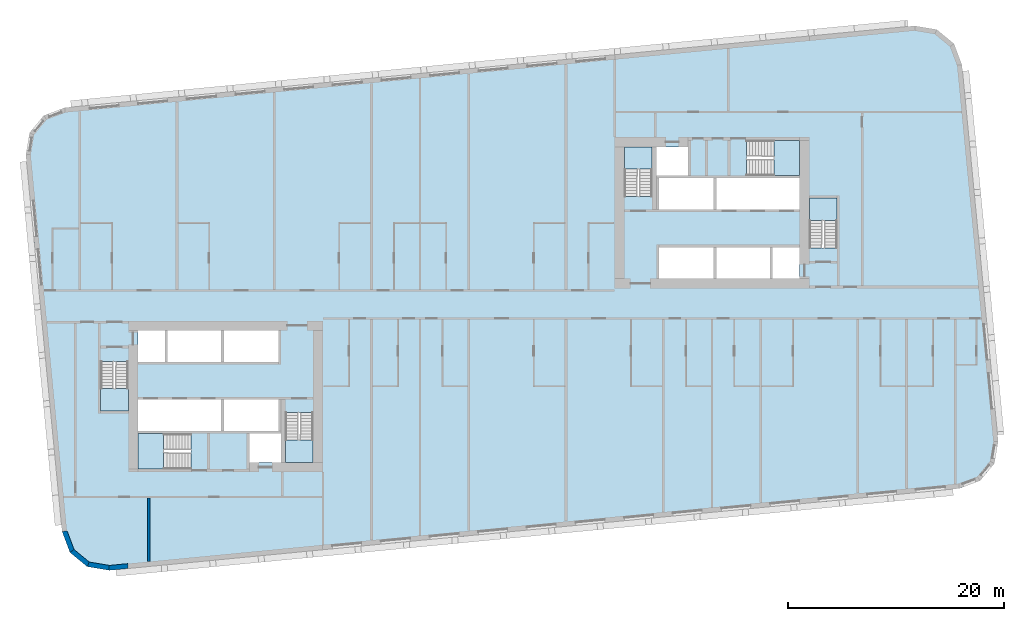
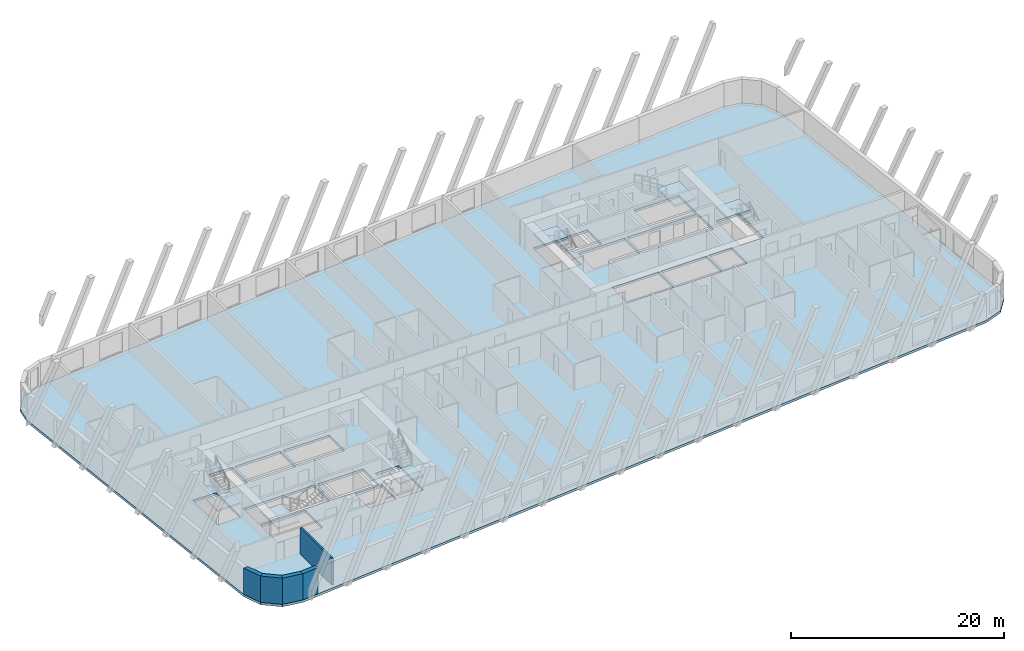
# One storey, part 1 of 13: 7 slabs, 5 walls, 6 elements without a shape of their own.
"""IFC4 building model written with IfcOpenShell, lengths in metres."""

from ifc_helpers import new_model, si_unit, direction, frame, frame_2d, origin, place, context, subcontext, project, spatial, polyline, rectangle, outline, extrude, material, layer, layer_set, type_object, element, aggregate, save


model = new_model("IFC4")

# Units and contexts
model_context = context("Model", 3, precision=1e-05, world=origin(), true_north=direction((0.0, 1.0)))
body_context = subcontext(model_context, "Body", "Model", "MODEL_VIEW")
ifc_project = project(units=[si_unit("LENGTHUNIT", "METRE"), si_unit("AREAUNIT", "SQUARE_METRE"), si_unit("VOLUMEUNIT", "CUBIC_METRE"), si_unit("PLANEANGLEUNIT", "RADIAN"), si_unit("MASSUNIT", "GRAM", prefix="KILO")], contexts=[model_context])

# Site, building, storey
site_placement = place(None, origin())
site = spatial("IfcSite", under=ifc_project, at=site_placement, CompositionType="ELEMENT")
building_placement = place(site_placement, origin())
building = spatial("IfcBuilding", under=site, at=building_placement, Name="Kajstack Hotel Tower", CompositionType="ELEMENT")
storey_placement = place(building_placement, frame((0.0, 0.0, 140.5)))
storey = spatial("IfcBuildingStorey", under=building, at=storey_placement, Name="L32", CompositionType="ELEMENT", Elevation=140.5)

# Slab
ifc_material_1 = material(Name="Concrete C40/50", Category="concrete")
ifc_layer_1 = layer(ifc_material_1, 0.280029296875)
ifc_layer_set_1 = layer_set([ifc_layer_1], Name="RC slab 280 C40/50 guest")
slab_type_1 = type_object("IfcSlabType", Name="RC slab 280 C40/50 guest", PredefinedType="FLOOR", material=ifc_layer_set_1)
slab_1_placement = place(storey_placement, frame((0.0, 0.0, -0.280029296875)))
element("IfcSlab", 1, at=slab_1_placement, inside=storey, type_object=slab_type_1, Name="S-slab-L32", PredefinedType="FLOOR", context=body_context, shape_type="SweptSolid", body=[
    extrude(outline(polyline([(-40.97705078125, 13.85009765625), (-37.622314453125, -20.98876953125), (-36.897216796875, -22.92822265625), (-35.299560546875, -24.2451171875), (-33.257568359375, -24.5869140625), (45.37890625, -17.01513671875), (47.318359375, -16.2900390625), (48.63525390625, -14.6923828125), (48.97705078125, -12.650146484375), (45.622314453125, 22.188720703125), (44.897216796875, 24.128173828125), (43.299560546875, 25.4453125), (41.257568359375, 25.786865234375), (-37.37890625, 18.215087890625), (-39.318359375, 17.489990234375), (-40.63525390625, 15.892333984375), (-40.97705078125, 13.85009765625)]), holes=[polyline([(-30.60009765625, -11.699951171875), (-30.60009765625, -8.800048828125), (-22.89990234375, -8.800048828125), (-22.89990234375, -11.699951171875), (-30.60009765625, -11.699951171875)]), polyline([(-22.64990234375, -11.699951171875), (-22.64990234375, -8.800048828125), (-17.60009765625, -8.800048828125), (-17.60009765625, -11.699951171875), (-22.64990234375, -11.699951171875)]), polyline([(-27.85009765625, -5.300048828125), (-27.85009765625, -2.39990234375), (-22.89990234375, -2.39990234375), (-22.89990234375, -5.300048828125), (-27.85009765625, -5.300048828125)]), polyline([(-22.64990234375, -5.300048828125), (-22.64990234375, -2.39990234375), (-17.60009765625, -2.39990234375), (-17.60009765625, -5.300048828125), (-22.64990234375, -5.300048828125)]), polyline([(-20.300048828125, -14.60009765625), (-17.35009765625, -14.60009765625), (-17.35009765625, -11.949951171875), (-20.300048828125, -11.949951171875), (-20.300048828125, -14.60009765625)]), polyline([(-30.60009765625, -5.300048828125), (-28.10009765625, -5.300048828125), (-28.10009765625, -2.39990234375), (-30.60009765625, -2.39990234375), (-30.60009765625, -5.300048828125)]), polyline([(22.89990234375, 8.800048828125), (22.89990234375, 11.699951171875), (30.60009765625, 11.699951171875), (30.60009765625, 8.800048828125), (22.89990234375, 8.800048828125)]), polyline([(17.60009765625, 8.800048828125), (17.60009765625, 11.699951171875), (22.64990234375, 11.699951171875), (22.64990234375, 8.800048828125), (17.60009765625, 8.800048828125)]), polyline([(22.89990234375, 2.39990234375), (22.89990234375, 5.300048828125), (27.85009765625, 5.300048828125), (27.85009765625, 2.39990234375), (22.89990234375, 2.39990234375)]), polyline([(17.60009765625, 2.39990234375), (17.60009765625, 5.300048828125), (22.64990234375, 5.300048828125), (22.64990234375, 2.39990234375), (17.60009765625, 2.39990234375)]), polyline([(20.300048828125, 14.60009765625), (17.35009765625, 14.60009765625), (17.35009765625, 11.949951171875), (20.300048828125, 11.949951171875), (20.300048828125, 14.60009765625)]), polyline([(30.60009765625, 5.300048828125), (28.10009765625, 5.300048828125), (28.10009765625, 2.39990234375), (30.60009765625, 2.39990234375), (30.60009765625, 5.300048828125)]), polyline([(-34.050048828125, -9.85009765625), (-31.5, -9.85009765625), (-31.5, -5.25), (-34.050048828125, -5.25), (-34.050048828125, -9.85009765625)]), polyline([(-16.949951171875, -14.60009765625), (-14.39990234375, -14.60009765625), (-14.39990234375, -10.0), (-16.949951171875, -10.0), (-16.949951171875, -14.60009765625)]), polyline([(-30.60009765625, -15.199951171875), (-25.699951171875, -15.199951171875), (-25.699951171875, -11.949951171875), (-30.60009765625, -11.949951171875), (-30.60009765625, -15.199951171875)]), polyline([(34.050048828125, 9.85009765625), (31.5, 9.85009765625), (31.5, 5.25), (34.050048828125, 5.25), (34.050048828125, 9.85009765625)]), polyline([(16.949951171875, 14.60009765625), (14.39990234375, 14.60009765625), (14.39990234375, 10.0), (16.949951171875, 10.0), (16.949951171875, 14.60009765625)]), polyline([(30.60009765625, 15.199951171875), (25.699951171875, 15.199951171875), (25.699951171875, 11.949951171875), (30.60009765625, 11.949951171875), (30.60009765625, 15.199951171875)])]), origin(), (0.0, 0.0, 1.0), 0.280029296875),
])

# Stair, slab
stair_type_1 = type_object("IfcStairType", Name="Exit stair 1200", PredefinedType="HALF_TURN_STAIR", material=ifc_material_1)
stair_1_placement = place(storey_placement, origin())
stair_1 = element("IfcStair", 2, at=stair_1_placement, inside=storey, type_object=stair_type_1, Name="L32 stair W1", PredefinedType="HALF_TURN_STAIR")
ifc_layer_2 = layer(ifc_material_1, 0.199951171875)
ifc_layer_set_2 = layer_set([ifc_layer_2], Name="Stair landing 200")
slab_type_2 = type_object("IfcSlabType", Name="Stair landing 200", PredefinedType="LANDING", material=ifc_layer_set_2)
slab_2_placement = place(storey_placement, frame((0.0, 0.0, 1.449951171875)))
slab_2 = element("IfcSlab", 3, at=slab_2_placement, type_object=slab_type_2, Name="W1 landing 1", PredefinedType="LANDING", context=body_context, shape_type="SweptSolid", body=[
    extrude(outline(polyline([(-34.050048828125, -7.77001953125), (-34.050048828125, -9.85009765625), (-31.5, -9.85009765625), (-31.5, -7.77001953125), (-34.050048828125, -7.77001953125)])), origin(), (0.0, 0.0, 1.0), 0.199951171875),
])
aggregate(stair_1, [slab_2])

stair_2_placement = place(storey_placement, origin())
stair_2 = element("IfcStair", 4, at=stair_2_placement, inside=storey, type_object=stair_type_1, Name="L32 stair W2", PredefinedType="HALF_TURN_STAIR")
slab_3_placement = place(storey_placement, frame((0.0, 0.0, 1.449951171875)))
slab_3 = element("IfcSlab", 5, at=slab_3_placement, type_object=slab_type_2, Name="W2 landing 1", PredefinedType="LANDING", context=body_context, shape_type="SweptSolid", body=[
    extrude(outline(polyline([(-16.949951171875, -12.52001953125), (-16.949951171875, -14.60009765625), (-14.39990234375, -14.60009765625), (-14.39990234375, -12.52001953125), (-16.949951171875, -12.52001953125)])), origin(), (0.0, 0.0, 1.0), 0.199951171875),
])
aggregate(stair_2, [slab_3])

stair_type_2 = type_object("IfcStairType", Name="Exit stair 1500", PredefinedType="HALF_TURN_STAIR", material=ifc_material_1)
stair_3_placement = place(storey_placement, origin())
stair_3 = element("IfcStair", 6, at=stair_3_placement, inside=storey, type_object=stair_type_2, Name="L32 stair W3", PredefinedType="HALF_TURN_STAIR")
slab_4_placement = place(storey_placement, frame((0.0, 0.0, 1.449951171875)))
slab_4 = element("IfcSlab", 7, at=slab_4_placement, type_object=slab_type_2, Name="W3 landing 1", PredefinedType="LANDING", context=body_context, shape_type="SweptSolid", body=[
    extrude(outline(polyline([(-28.219970703125, -11.949951171875), (-30.60009765625, -11.949951171875), (-30.60009765625, -15.199951171875), (-28.219970703125, -15.199951171875), (-28.219970703125, -11.949951171875)])), origin(), (0.0, 0.0, 1.0), 0.199951171875),
])
aggregate(stair_3, [slab_4])

stair_4_placement = place(storey_placement, origin())
stair_4 = element("IfcStair", 8, at=stair_4_placement, inside=storey, type_object=stair_type_1, Name="L32 stair E1", PredefinedType="HALF_TURN_STAIR")
slab_5_placement = place(storey_placement, frame((0.0, 0.0, 1.449951171875)))
slab_5 = element("IfcSlab", 9, at=slab_5_placement, type_object=slab_type_2, Name="E1 landing 1", PredefinedType="LANDING", context=body_context, shape_type="SweptSolid", body=[
    extrude(outline(polyline([(34.050048828125, 7.77001953125), (34.050048828125, 9.85009765625), (31.5, 9.85009765625), (31.5, 7.77001953125), (34.050048828125, 7.77001953125)])), origin(), (0.0, 0.0, 1.0), 0.199951171875),
])
aggregate(stair_4, [slab_5])

stair_5_placement = place(storey_placement, origin())
stair_5 = element("IfcStair", 10, at=stair_5_placement, inside=storey, type_object=stair_type_1, Name="L32 stair E2", PredefinedType="HALF_TURN_STAIR")
slab_6_placement = place(storey_placement, frame((0.0, 0.0, 1.449951171875)))
slab_6 = element("IfcSlab", 11, at=slab_6_placement, type_object=slab_type_2, Name="E2 landing 1", PredefinedType="LANDING", context=body_context, shape_type="SweptSolid", body=[
    extrude(outline(polyline([(16.949951171875, 12.52001953125), (16.949951171875, 14.60009765625), (14.39990234375, 14.60009765625), (14.39990234375, 12.52001953125), (16.949951171875, 12.52001953125)])), origin(), (0.0, 0.0, 1.0), 0.199951171875),
])
aggregate(stair_5, [slab_6])

stair_6_placement = place(storey_placement, origin())
stair_6 = element("IfcStair", 12, at=stair_6_placement, inside=storey, type_object=stair_type_2, Name="L32 stair E3", PredefinedType="HALF_TURN_STAIR")
slab_7_placement = place(storey_placement, frame((0.0, 0.0, 1.449951171875)))
slab_7 = element("IfcSlab", 13, at=slab_7_placement, type_object=slab_type_2, Name="E3 landing 1", PredefinedType="LANDING", context=body_context, shape_type="SweptSolid", body=[
    extrude(outline(polyline([(28.219970703125, 11.949951171875), (30.60009765625, 11.949951171875), (30.60009765625, 15.199951171875), (28.219970703125, 15.199951171875), (28.219970703125, 11.949951171875)])), origin(), (0.0, 0.0, 1.0), 0.199951171875),
])
aggregate(stair_6, [slab_7])

# Walls
ifc_material_2 = material(Name="Terracotta-faced brick masonry", Category="masonry")
ifc_layer_3 = layer(ifc_material_2, 0.449951171875)
ifc_layer_set_3 = layer_set([ifc_layer_3], Name="EW-TERRA")
wall_type_1 = type_object("IfcWallType", Name="EW-TERRA", PredefinedType="SOLIDWALL", material=ifc_layer_set_3)
for number, where, z_axis, x_axis, name in (
    (14, (-37.41162109375, -20.909912109375, 0.0), (0.0, 0.0, 1.0), (0.350192909346, -0.936677599948, 0.0), "E-wall-L32-01-00"),
    (15, (-36.754150390625, -22.754638671875, 0.0), (0.0, 0.0, 1.0), (0.771651049663, -0.636046112757, 0.0), "E-wall-L32-02-00"),
):
    element("IfcWall", number, at=place(storey_placement, frame(where, z_axis=z_axis, x_axis=x_axis)), inside=storey, type_object=wall_type_1, Name=name, PredefinedType="SOLIDWALL", context=body_context, shape_type="SweptSolid", body=[
        extrude(outline(polyline([(0.0, -0.22509765625), (2.070556640625, -0.22509765625), (1.949951171875, 0.224853515625), (0.12060546875, 0.22509765625), (0.0, -0.22509765625)])), origin(), (0.0, 0.0, 1.0), 3.02001953125),
    ])
wall_1_placement = place(storey_placement, frame((-35.262451171875, -24.023193359375, 0.0), z_axis=(0.0, 0.0, 1.0), x_axis=(0.986278951104, -0.165087342366, 0.0)))
element("IfcWall", 16, at=wall_1_placement, inside=storey, type_object=wall_type_1, Name="E-wall-L32-03-00", PredefinedType="SOLIDWALL", context=body_context, shape_type="SweptSolid", body=[
    extrude(outline(polyline([(0.0, -0.22509765625), (2.070556640625, -0.22509765625), (1.949951171875, 0.22509765625), (0.12060546875, 0.224853515625), (0.0, -0.22509765625)])), origin(), (0.0, 0.0, 1.0), 3.02001953125),
])
wall_2_placement = place(storey_placement, frame((-33.279052734375, -24.363037109375, 0.0), z_axis=(0.0, 0.0, 1.0), x_axis=(0.995385439311, 0.095957423931, 0.0)))
element("IfcWall", 17, at=wall_2_placement, inside=storey, type_object=wall_type_1, Name="E-wall-L32-04-00", PredefinedType="SOLIDWALL", context=body_context, shape_type="SweptSolid", body=[
    extrude(rectangle(XDim=1.765625, YDim=0.449951171875, at=frame_2d((0.8828125, 0.0))), origin(), (0.0, 0.0, 1.0), 3.02001953125),
])
ifc_material_3 = material(Name="Gypsum board on steel studs, mineral wool", Category="steel")
ifc_layer_4 = layer(ifc_material_3, 0.199951171875)
ifc_layer_set_4 = layer_set([ifc_layer_4], Name="Service partition 200")
wall_type_2 = type_object("IfcWallType", Name="Service partition 200", PredefinedType="PARTITIONING", material=ifc_layer_set_4)
wall_3_placement = place(storey_placement, frame((-29.60009765625, -23.78369140625, 0.0), z_axis=(0.0, 0.0, 1.0), x_axis=(0.0, 1.0, 0.0)))
element("IfcWall", 18, at=wall_3_placement, inside=storey, type_object=wall_type_2, Name="Partition W SLP0", PredefinedType="PARTITIONING", context=body_context, shape_type="SweptSolid", body=[
    extrude(rectangle(XDim=5.8837890625, YDim=0.199951171875, at=frame_2d((2.94189453125, 0.0))), origin(), (0.0, 0.0, 1.0), 3.02001953125),
])

save(model, "model.ifc")
